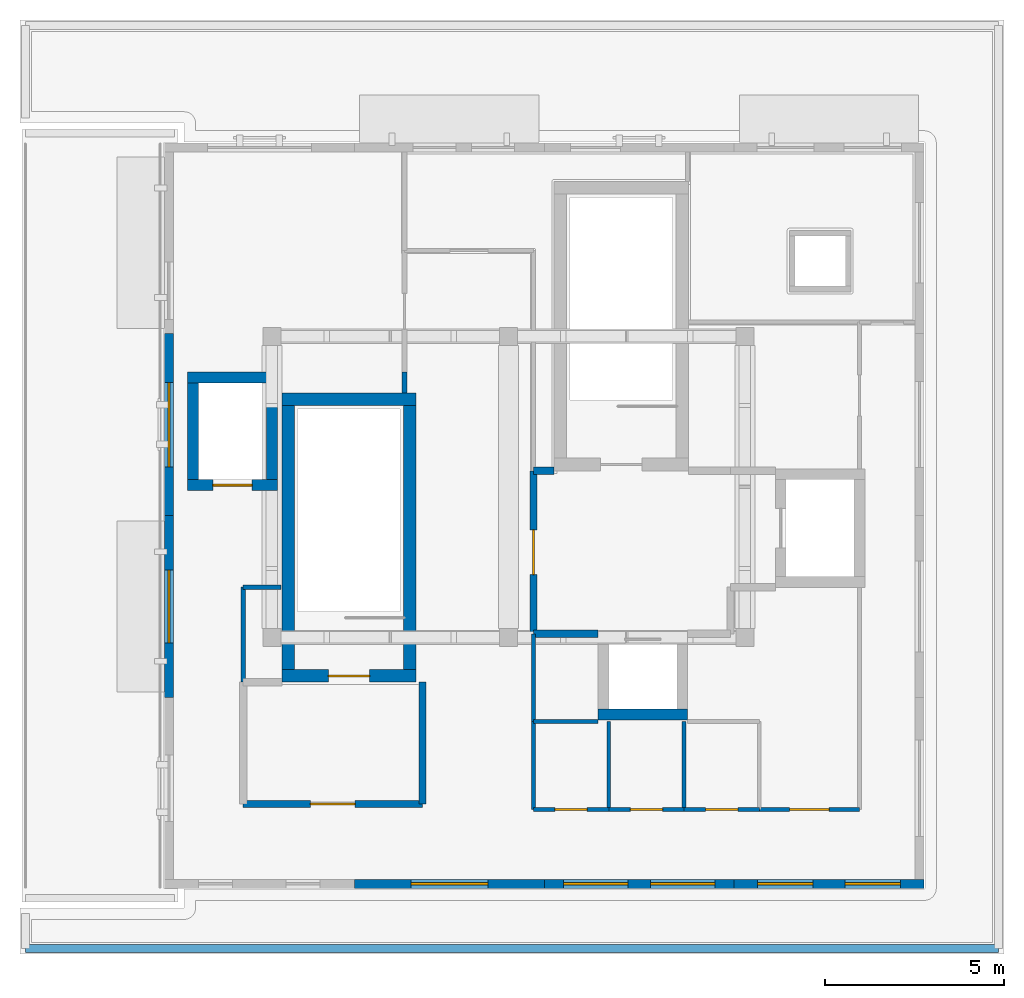
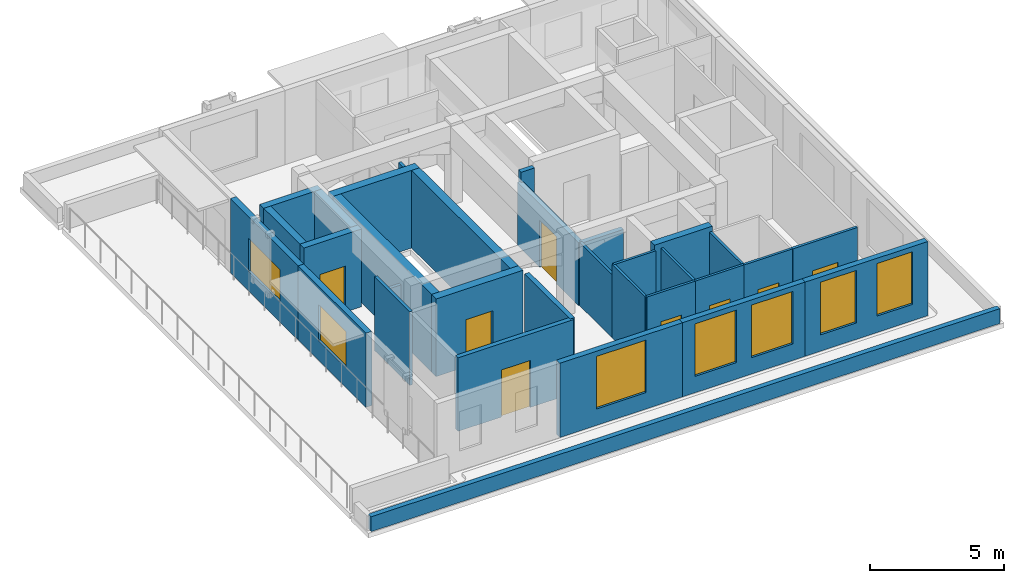
# One storey, part 2 of 5: 32 walls, 8 doors, 7 windows, 15 openings.
"""IFC4 building model written with IfcOpenShell, lengths in metres."""

from ifc_helpers import new_model, si_unit, direction, frame, frame_2d, origin, place, context, subcontext, project, spatial, rectangle, extrude, material, layer, layer_set, type_object, element, fill, save


model = new_model("IFC4")

# Units and contexts
model_context = context("Model", 3, precision=1e-05, world=origin(), true_north=direction((0.0, 1.0)))
body_context = subcontext(model_context, "Body", "Model", "MODEL_VIEW")
ifc_project = project(units=[si_unit("LENGTHUNIT", "METRE"), si_unit("AREAUNIT", "SQUARE_METRE"), si_unit("VOLUMEUNIT", "CUBIC_METRE"), si_unit("PLANEANGLEUNIT", "RADIAN"), si_unit("MASSUNIT", "GRAM", prefix="KILO")], contexts=[model_context])

# Site, building, storey
site_placement = place(None, origin())
site = spatial("IfcSite", under=ifc_project, at=site_placement, CompositionType="ELEMENT")
building_placement = place(site_placement, origin())
building = spatial("IfcBuilding", under=site, at=building_placement, Name="Kolvaren Faculty of Natural Sciences", CompositionType="ELEMENT")
storey_placement = place(building_placement, frame((0.0, 0.0, 44.39990234375)))
storey = spatial("IfcBuildingStorey", under=building, at=storey_placement, Name="L10", CompositionType="ELEMENT", Elevation=44.39990234375)

# Wall, opening, door
ifc_material_1 = material(Name="Concrete C40/50", Category="concrete")
ifc_layer_1 = layer(ifc_material_1, 0.35009765625)
ifc_layer_set_1 = layer_set([ifc_layer_1], Name="Concrete C40/50")
wall_type_1 = type_object("IfcWallType", Name="CoreShearWall_350", PredefinedType="SHEAR", material=ifc_layer_set_1)
wall_1_placement = place(storey_placement, frame((152.27490234375, 66.324951171875, 0.0), z_axis=(0.0, 0.0, 1.0), x_axis=(1.0, 0.0, 0.0)))
wall_1 = element("IfcWall", 1, at=wall_1_placement, inside=storey, type_object=wall_type_1, Name="L10 CORE-C2 stair shear wall S", PredefinedType="SHEAR", context=body_context, shape_type="SweptSolid", body=[
    extrude(rectangle(XDim=3.75, YDim=0.35009765625, at=frame_2d((1.875, 0.0))), origin(), (0.0, 0.0, 1.0), 3.550048828125),
])
opening_1_placement = place(wall_1_placement, frame((1.300048828125, 0.0, 0.0)))
opening_1 = element("IfcOpeningElement", 2, at=opening_1_placement, cuts=wall_1, Name="Opening FD90", PredefinedType="OPENING", context=body_context, shape_type="SweptSolid", body=[
    extrude(rectangle(XDim=1.14990234375, YDim=2.14990234375, at=frame_2d((0.574951171875, 1.074951171875))), frame((0.0, 0.18505859375, 0.0), z_axis=(0.0, -1.0, 0.0), x_axis=(1.0, 0.0, 0.0)), (0.0, 0.0, 1.0), 0.3701171875),
])
ifc_material_2 = material(Name="Fire-rated solid-core hardwood door leaf in steel frame", Category="steel")
door_type_1 = type_object("IfcDoorType", Name="StairCoreFireDoor_1150x2150", OperationType="NOTDEFINED", PredefinedType="DOOR", material=ifc_material_2)
door_1_placement = place(opening_1_placement, origin())
door_1 = element("IfcDoor", 3, at=door_1_placement, inside=storey, type_object=door_type_1, Name="D-ST-ST-2-L10", OperationType="SINGLE_SWING_RIGHT", OverallHeight=2.14990234375, OverallWidth=1.14990234375, PredefinedType="DOOR", context=body_context, shape_type="SweptSolid", body=[
    extrude(rectangle(XDim=1.14990234375, YDim=2.14990234375, at=frame_2d((0.574951171875, 1.074951171875))), frame((0.0, 0.02490234375, 0.0), z_axis=(0.0, -1.0, 0.0), x_axis=(1.0, 0.0, 0.0)), (0.0, 0.0, 1.0), 0.050048828125),
])
fill(opening_1, door_1)

# Walls
wall_2_placement = place(storey_placement, frame((152.27490234375, 74.050048828125, 0.0), z_axis=(0.0, 0.0, 1.0), x_axis=(1.0, 0.0, 0.0)))
element("IfcWall", 4, at=wall_2_placement, inside=storey, type_object=wall_type_1, Name="L10 CORE-C2 stair shear wall N", PredefinedType="SHEAR", context=body_context, shape_type="SweptSolid", body=[
    extrude(rectangle(XDim=3.75, YDim=0.35009765625, at=frame_2d((1.875, 0.0))), origin(), (0.0, 0.0, 1.0), 3.550048828125),
])
for number, where, z_axis, x_axis, name in (
    (5, (152.449951171875, 66.5, 0.0), (0.0, 0.0, 1.0), (0.0, 1.0, 0.0), "L10 CORE-C2 stair shear wall W"),
    (6, (155.85009765625, 66.5, 0.0), (0.0, 0.0, 1.0), (0.0, 1.0, 0.0), "L10 CORE-C2 stair shear wall E"),
):
    element("IfcWall", number, at=place(storey_placement, frame(where, z_axis=z_axis, x_axis=x_axis)), inside=storey, type_object=wall_type_1, Name=name, PredefinedType="SHEAR", context=body_context, shape_type="SweptSolid", body=[
        extrude(rectangle(XDim=7.375, YDim=0.35009765625, at=frame_2d((3.6875, 0.0))), origin(), (0.0, 0.0, 1.0), 3.550048828125),
    ])

# Wall, opening, window
ifc_material_3 = material(Name="Precast concrete C35/45", Category="concrete")
ifc_layer_2 = layer(ifc_material_3, 0.25)
ifc_layer_set_2 = layer_set([ifc_layer_2], Name="Precast concrete C35/45")
wall_type_2 = type_object("IfcWallType", Name="ExteriorTowerWall_250", PredefinedType="STANDARD", material=ifc_layer_set_2)
wall_3_placement = place(storey_placement, frame((149.125, 65.72509765625, 0.0), z_axis=(0.0, 0.0, 1.0), x_axis=(0.0, 1.0, 0.0)))
wall_3 = element("IfcWall", 7, at=wall_3_placement, inside=storey, type_object=wall_type_2, Name="L10 exterior masonry wall EW-250 (763)", PredefinedType="STANDARD", context=body_context, shape_type="SweptSolid", body=[
    extrude(rectangle(XDim=5.074951171875, YDim=0.25, at=frame_2d((2.53759765625, 0.0))), origin(), (0.0, 0.0, 1.0), 3.39013671875),
])
opening_2_placement = place(wall_3_placement, frame((1.512451171875, 0.0, 0.89990234375)))
opening_2 = element("IfcOpeningElement", 8, at=opening_2_placement, cuts=wall_3, Name="Opening WIN-17", PredefinedType="OPENING", context=body_context, shape_type="SweptSolid", body=[
    extrude(rectangle(XDim=2.050048828125, YDim=1.64990234375, at=frame_2d((1.02490234375, 0.824951171875))), frame((0.0, 0.135009765625, 0.0), z_axis=(0.0, -1.0, 0.0), x_axis=(1.0, 0.0, 0.0)), (0.0, 0.0, 1.0), 0.27001953125),
])
ifc_material_4 = material(Name="Double low-E solar control insulated glazing", Category="glass")
window_type_1 = type_object("IfcWindowType", Name="AluWindow_WIN17_2050x1650", PartitioningType="SINGLE_PANEL", PredefinedType="WINDOW", material=ifc_material_4)
window_1_placement = place(opening_2_placement, origin())
window_1 = element("IfcWindow", 9, at=window_1_placement, inside=storey, type_object=window_type_1, Name="WIN-L10-0638", OverallHeight=1.64990234375, OverallWidth=2.050048828125, PartitioningType="SINGLE_PANEL", PredefinedType="WINDOW", context=body_context, shape_type="SweptSolid", body=[
    extrude(rectangle(XDim=2.050048828125, YDim=1.64990234375, at=frame_2d((1.02490234375, 0.824951171875))), frame((0.0, 0.030029296875, 0.0), z_axis=(0.0, -1.0, 0.0), x_axis=(1.0, 0.0, 0.0)), (0.0, 0.0, 1.0), 0.06005859375),
])
fill(opening_2, window_1)

wall_4_placement = place(storey_placement, frame((149.125, 70.800048828125, 0.0), z_axis=(0.0, 0.0, 1.0), x_axis=(0.0, 1.0, 0.0)))
wall_4 = element("IfcWall", 10, at=wall_4_placement, inside=storey, type_object=wall_type_2, Name="L10 exterior masonry wall EW-250 (764)", PredefinedType="STANDARD", context=body_context, shape_type="SweptSolid", body=[
    extrude(rectangle(XDim=5.074951171875, YDim=0.25, at=frame_2d((2.53759765625, 0.0))), origin(), (0.0, 0.0, 1.0), 3.39013671875),
])
opening_3_placement = place(wall_4_placement, frame((1.362548828125, 0.0, 0.89990234375)))
opening_3 = element("IfcOpeningElement", 11, at=opening_3_placement, cuts=wall_4, Name="Opening WIN-18", PredefinedType="OPENING", context=body_context, shape_type="SweptSolid", body=[
    extrude(rectangle(XDim=2.35009765625, YDim=1.5, at=frame_2d((1.175048828125, 0.75))), frame((0.0, 0.135009765625, 0.0), z_axis=(0.0, -1.0, 0.0), x_axis=(1.0, 0.0, 0.0)), (0.0, 0.0, 1.0), 0.27001953125),
])
window_type_2 = type_object("IfcWindowType", Name="AluWindow_WIN18_2350x1500", PartitioningType="SINGLE_PANEL", PredefinedType="WINDOW", material=ifc_material_4)
window_2_placement = place(opening_3_placement, origin())
window_2 = element("IfcWindow", 12, at=window_2_placement, inside=storey, type_object=window_type_2, Name="WIN-L10-0639", OverallHeight=1.5, OverallWidth=2.35009765625, PartitioningType="SINGLE_PANEL", PredefinedType="WINDOW", context=body_context, shape_type="SweptSolid", body=[
    extrude(rectangle(XDim=2.35009765625, YDim=1.5, at=frame_2d((1.175048828125, 0.75))), frame((0.0, 0.030029296875, 0.0), z_axis=(0.0, -1.0, 0.0), x_axis=(1.0, 0.0, 0.0)), (0.0, 0.0, 1.0), 0.06005859375),
])
fill(opening_3, window_2)

# Wall, openings, windows
wall_5_placement = place(storey_placement, frame((170.199951171875, 60.52490234375, 0.0), z_axis=(0.0, 0.0, 1.0), x_axis=(-1.0, 0.0, 0.0)))
wall_5 = element("IfcWall", 13, at=wall_5_placement, inside=storey, type_object=wall_type_2, Name="L10 exterior masonry wall EW-250 (766)", PredefinedType="STANDARD", context=body_context, shape_type="SweptSolid", body=[
    extrude(rectangle(XDim=5.300048828125, YDim=0.25, at=frame_2d((2.64990234375, 0.0))), origin(), (0.0, 0.0, 1.0), 3.39013671875),
])
opening_4_placement = place(wall_5_placement, frame((0.656005859375, 0.0, 0.75)))
opening_4 = element("IfcOpeningElement", 14, at=opening_4_placement, cuts=wall_5, Name="Opening WIN-20", PredefinedType="OPENING", context=body_context, shape_type="SweptSolid", body=[
    extrude(rectangle(XDim=1.550048828125, YDim=2.39990234375, at=frame_2d((0.77490234375, 1.199951171875))), frame((0.0, 0.135009765625, 0.0), z_axis=(0.0, -1.0, 0.0), x_axis=(1.0, 0.0, 0.0)), (0.0, 0.0, 1.0), 0.27001953125),
])
opening_5_placement = place(wall_5_placement, frame((3.093994140625, 0.0, 0.75)))
opening_5 = element("IfcOpeningElement", 15, at=opening_5_placement, cuts=wall_5, Name="Opening WIN-20", PredefinedType="OPENING", context=body_context, shape_type="SweptSolid", body=[
    extrude(rectangle(XDim=1.550048828125, YDim=2.39990234375, at=frame_2d((0.77490234375, 1.199951171875))), frame((0.0, 0.135009765625, 0.0), z_axis=(0.0, -1.0, 0.0), x_axis=(1.0, 0.0, 0.0)), (0.0, 0.0, 1.0), 0.27001953125),
])
window_type_3 = type_object("IfcWindowType", Name="AluWindow_WIN20_1550x2400", PartitioningType="SINGLE_PANEL", PredefinedType="WINDOW", material=ifc_material_4)
window_3_placement = place(opening_4_placement, origin())
window_3 = element("IfcWindow", 16, at=window_3_placement, inside=storey, type_object=window_type_3, Name="WIN-L10-0640", OverallHeight=2.39990234375, OverallWidth=1.550048828125, PartitioningType="SINGLE_PANEL", PredefinedType="WINDOW", context=body_context, shape_type="SweptSolid", body=[
    extrude(rectangle(XDim=1.550048828125, YDim=2.39990234375, at=frame_2d((0.77490234375, 1.199951171875))), frame((0.0, 0.030029296875, 0.0), z_axis=(0.0, -1.0, 0.0), x_axis=(1.0, 0.0, 0.0)), (0.0, 0.0, 1.0), 0.06005859375),
])
fill(opening_4, window_3)
window_4_placement = place(opening_5_placement, origin())
window_4 = element("IfcWindow", 17, at=window_4_placement, inside=storey, type_object=window_type_3, Name="WIN-L10-0641", OverallHeight=2.39990234375, OverallWidth=1.550048828125, PartitioningType="SINGLE_PANEL", PredefinedType="WINDOW", context=body_context, shape_type="SweptSolid", body=[
    extrude(rectangle(XDim=1.550048828125, YDim=2.39990234375, at=frame_2d((0.77490234375, 1.199951171875))), frame((0.0, 0.030029296875, 0.0), z_axis=(0.0, -1.0, 0.0), x_axis=(1.0, 0.0, 0.0)), (0.0, 0.0, 1.0), 0.06005859375),
])
fill(opening_5, window_4)

wall_6_placement = place(storey_placement, frame((164.89990234375, 60.52490234375, 0.0), z_axis=(0.0, 0.0, 1.0), x_axis=(-1.0, 0.0, 0.0)))
wall_6 = element("IfcWall", 18, at=wall_6_placement, inside=storey, type_object=wall_type_2, Name="L10 exterior masonry wall EW-250 (767)", PredefinedType="STANDARD", context=body_context, shape_type="SweptSolid", body=[
    extrude(rectangle(XDim=5.2998046875, YDim=0.25, at=frame_2d((2.64990234375, 0.0))), origin(), (0.0, 0.0, 1.0), 3.39013671875),
])
opening_6_placement = place(wall_6_placement, frame((0.531005859375, 0.0, 0.75)))
opening_6 = element("IfcOpeningElement", 19, at=opening_6_placement, cuts=wall_6, Name="Opening WIN-21", PredefinedType="OPENING", context=body_context, shape_type="SweptSolid", body=[
    extrude(rectangle(XDim=1.800048828125, YDim=2.39990234375, at=frame_2d((0.89990234375, 1.199951171875))), frame((0.0, 0.135009765625, 0.0), z_axis=(0.0, -1.0, 0.0), x_axis=(1.0, 0.0, 0.0)), (0.0, 0.0, 1.0), 0.27001953125),
])
opening_7_placement = place(wall_6_placement, frame((2.968994140625, 0.0, 0.75)))
opening_7 = element("IfcOpeningElement", 20, at=opening_7_placement, cuts=wall_6, Name="Opening WIN-21", PredefinedType="OPENING", context=body_context, shape_type="SweptSolid", body=[
    extrude(rectangle(XDim=1.800048828125, YDim=2.39990234375, at=frame_2d((0.89990234375, 1.199951171875))), frame((0.0, 0.135009765625, 0.0), z_axis=(0.0, -1.0, 0.0), x_axis=(1.0, 0.0, 0.0)), (0.0, 0.0, 1.0), 0.27001953125),
])
window_type_4 = type_object("IfcWindowType", Name="AluWindow_WIN21_1800x2400", PartitioningType="SINGLE_PANEL", PredefinedType="WINDOW", material=ifc_material_4)
window_5_placement = place(opening_6_placement, origin())
window_5 = element("IfcWindow", 21, at=window_5_placement, inside=storey, type_object=window_type_4, Name="WIN-L10-0642", OverallHeight=2.39990234375, OverallWidth=1.800048828125, PartitioningType="SINGLE_PANEL", PredefinedType="WINDOW", context=body_context, shape_type="SweptSolid", body=[
    extrude(rectangle(XDim=1.800048828125, YDim=2.39990234375, at=frame_2d((0.89990234375, 1.199951171875))), frame((0.0, 0.030029296875, 0.0), z_axis=(0.0, -1.0, 0.0), x_axis=(1.0, 0.0, 0.0)), (0.0, 0.0, 1.0), 0.06005859375),
])
fill(opening_6, window_5)
window_6_placement = place(opening_7_placement, origin())
window_6 = element("IfcWindow", 22, at=window_6_placement, inside=storey, type_object=window_type_4, Name="WIN-L10-0643", OverallHeight=2.39990234375, OverallWidth=1.800048828125, PartitioningType="SINGLE_PANEL", PredefinedType="WINDOW", context=body_context, shape_type="SweptSolid", body=[
    extrude(rectangle(XDim=1.800048828125, YDim=2.39990234375, at=frame_2d((0.89990234375, 1.199951171875))), frame((0.0, 0.030029296875, 0.0), z_axis=(0.0, -1.0, 0.0), x_axis=(1.0, 0.0, 0.0)), (0.0, 0.0, 1.0), 0.06005859375),
])
fill(opening_7, window_6)

# Wall, opening, window
wall_7_placement = place(storey_placement, frame((159.60009765625, 60.52490234375, 0.0), z_axis=(0.0, 0.0, 1.0), x_axis=(-1.0, 0.0, 0.0)))
wall_7 = element("IfcWall", 23, at=wall_7_placement, inside=storey, type_object=wall_type_2, Name="L10 exterior masonry wall EW-250 (768)", PredefinedType="STANDARD", context=body_context, shape_type="SweptSolid", body=[
    extrude(rectangle(XDim=5.300048828125, YDim=0.25, at=frame_2d((2.64990234375, 0.0))), origin(), (0.0, 0.0, 1.0), 3.39013671875),
])
opening_8_placement = place(wall_7_placement, frame((1.574951171875, 0.0, 0.75)))
opening_8 = element("IfcOpeningElement", 24, at=opening_8_placement, cuts=wall_7, Name="Opening WIN-22", PredefinedType="OPENING", context=body_context, shape_type="SweptSolid", body=[
    extrude(rectangle(XDim=2.14990234375, YDim=2.39990234375, at=frame_2d((1.074951171875, 1.199951171875))), frame((0.0, 0.135009765625, 0.0), z_axis=(0.0, -1.0, 0.0), x_axis=(1.0, 0.0, 0.0)), (0.0, 0.0, 1.0), 0.27001953125),
])
window_type_5 = type_object("IfcWindowType", Name="AluWindow_WIN22_2150x2400", PartitioningType="SINGLE_PANEL", PredefinedType="WINDOW", material=ifc_material_4)
window_7_placement = place(opening_8_placement, origin())
window_7 = element("IfcWindow", 25, at=window_7_placement, inside=storey, type_object=window_type_5, Name="WIN-L10-0644", OverallHeight=2.39990234375, OverallWidth=2.14990234375, PartitioningType="SINGLE_PANEL", PredefinedType="WINDOW", context=body_context, shape_type="SweptSolid", body=[
    extrude(rectangle(XDim=2.14990234375, YDim=2.39990234375, at=frame_2d((1.074951171875, 1.199951171875))), frame((0.0, 0.030029296875, 0.0), z_axis=(0.0, -1.0, 0.0), x_axis=(1.0, 0.0, 0.0)), (0.0, 0.0, 1.0), 0.06005859375),
])
fill(opening_8, window_7)

# Walls
ifc_material_5 = material(Name="Autoclaved aerated fire-rated masonry blockwork", Category="masonry")
ifc_layer_3 = layer(ifc_material_5, 0.199951171875)
ifc_layer_set_3 = layer_set([ifc_layer_3], Name="Autoclaved aerated fire-rated masonry blockwork")
wall_type_3 = type_object("IfcWallType", Name="FireLobbyWall_200", PredefinedType="PARTITIONING", material=ifc_layer_set_3)
wall_8_placement = place(storey_placement, frame((159.300048828125, 72.050048828125, 0.0), z_axis=(0.0, 0.0, 1.0), x_axis=(1.0, 0.0, 0.0)))
element("IfcWall", 26, at=wall_8_placement, inside=storey, type_object=wall_type_3, Name="L10 interior partition FW-200", PredefinedType="PARTITIONING", context=body_context, shape_type="SweptSolid", body=[
    extrude(rectangle(XDim=0.574951171875, YDim=0.199951171875, at=frame_2d((0.28759765625, 0.0))), origin(), (0.0, 0.0, 1.0), 3.360107421875),
])
wall_9_placement = place(storey_placement, frame((161.10009765625, 67.5, 0.0), z_axis=(0.0, 0.0, 1.0), x_axis=(-1.0, 0.0, 0.0)))
element("IfcWall", 27, at=wall_9_placement, inside=storey, type_object=wall_type_3, Name="L10 interior partition FW-200", PredefinedType="PARTITIONING", context=body_context, shape_type="SweptSolid", body=[
    extrude(rectangle(XDim=1.800048828125, YDim=0.199951171875, at=frame_2d((0.89990234375, 0.0))), origin(), (0.0, 0.0, 1.0), 2.885009765625),
])

# Wall, opening, door
wall_10_placement = place(storey_placement, frame((159.300048828125, 67.5, 0.0), z_axis=(0.0, 0.0, 1.0), x_axis=(0.0, 1.0, 0.0)))
wall_10 = element("IfcWall", 28, at=wall_10_placement, inside=storey, type_object=wall_type_3, Name="L10 interior partition FW-200", PredefinedType="PARTITIONING", context=body_context, shape_type="SweptSolid", body=[
    extrude(rectangle(XDim=4.550048828125, YDim=0.199951171875, at=frame_2d((2.27490234375, 0.0))), origin(), (0.0, 0.0, 1.0), 2.885009765625),
])
opening_9_placement = place(wall_10_placement, frame((1.64990234375, 0.0, 0.0)))
opening_9 = element("IfcOpeningElement", 29, at=opening_9_placement, cuts=wall_10, Name="Opening FD60", PredefinedType="OPENING", context=body_context, shape_type="SweptSolid", body=[
    extrude(rectangle(XDim=1.25, YDim=2.14990234375, at=frame_2d((0.625, 1.074951171875))), frame((0.0, 0.10986328125, 0.0), z_axis=(0.0, -1.0, 0.0), x_axis=(1.0, 0.0, 0.0)), (0.0, 0.0, 1.0), 0.219970703125),
])
door_type_2 = type_object("IfcDoorType", Name="RescueLobbyFireDoor_1250x2150", OperationType="NOTDEFINED", PredefinedType="DOOR", material=ifc_material_2)
door_2_placement = place(opening_9_placement, origin())
door_2 = element("IfcDoor", 30, at=door_2_placement, inside=storey, type_object=door_type_2, Name="D-L10-0395", OperationType="SINGLE_SWING_RIGHT", OverallHeight=2.14990234375, OverallWidth=1.25, PredefinedType="DOOR", context=body_context, shape_type="SweptSolid", body=[
    extrude(rectangle(XDim=1.25, YDim=2.14990234375, at=frame_2d((0.625, 1.074951171875))), frame((0.0, 0.02490234375, 0.0), z_axis=(0.0, -1.0, 0.0), x_axis=(1.0, 0.0, 0.0)), (0.0, 0.0, 1.0), 0.050048828125),
])
fill(opening_9, door_2)

# Wall
wall_11_placement = place(storey_placement, frame((156.199951171875, 66.14990234375, 0.0), z_axis=(0.0, 0.0, 1.0), x_axis=(0.0, -1.0, 0.0)))
element("IfcWall", 31, at=wall_11_placement, inside=storey, type_object=wall_type_3, Name="L10 interior partition FW-200", PredefinedType="PARTITIONING", context=body_context, shape_type="SweptSolid", body=[
    extrude(rectangle(XDim=3.39990234375, YDim=0.199951171875, at=frame_2d((1.699951171875, 0.0))), origin(), (0.0, 0.0, 1.0), 3.360107421875),
])

# Wall, opening, door
wall_12_placement = place(storey_placement, frame((156.199951171875, 62.75, 0.0), z_axis=(0.0, 0.0, 1.0), x_axis=(-1.0, 0.0, 0.0)))
wall_12 = element("IfcWall", 32, at=wall_12_placement, inside=storey, type_object=wall_type_3, Name="L10 interior partition FW-200", PredefinedType="PARTITIONING", context=body_context, shape_type="SweptSolid", body=[
    extrude(rectangle(XDim=5.0, YDim=0.199951171875, at=frame_2d((2.5, 0.0))), origin(), (0.0, 0.0, 1.0), 3.360107421875),
])
opening_10_placement = place(wall_12_placement, frame((1.875, 0.0, 0.0)))
opening_10 = element("IfcOpeningElement", 33, at=opening_10_placement, cuts=wall_12, Name="Opening FD60", PredefinedType="OPENING", context=body_context, shape_type="SweptSolid", body=[
    extrude(rectangle(XDim=1.25, YDim=2.14990234375, at=frame_2d((0.625, 1.074951171875))), frame((0.0, 0.10986328125, 0.0), z_axis=(0.0, -1.0, 0.0), x_axis=(1.0, 0.0, 0.0)), (0.0, 0.0, 1.0), 0.219970703125),
])
door_3_placement = place(opening_10_placement, origin())
door_3 = element("IfcDoor", 34, at=door_3_placement, inside=storey, type_object=door_type_2, Name="D-L10-0396", OperationType="SINGLE_SWING_LEFT", OverallHeight=2.14990234375, OverallWidth=1.25, PredefinedType="DOOR", context=body_context, shape_type="SweptSolid", body=[
    extrude(rectangle(XDim=1.25, YDim=2.14990234375, at=frame_2d((0.625, 1.074951171875))), frame((0.0, 0.02490234375, 0.0), z_axis=(0.0, -1.0, 0.0), x_axis=(1.0, 0.0, 0.0)), (0.0, 0.0, 1.0), 0.050048828125),
])
fill(opening_10, door_3)

# Walls
ifc_material_6 = material(Name="Acoustic mineral-wool insulated gypsum partition")
ifc_layer_4 = layer(ifc_material_6, 0.1298828125)
ifc_layer_set_4 = layer_set([ifc_layer_4], Name="Acoustic mineral-wool insulated gypsum partition")
wall_type_4 = type_object("IfcWallType", Name="OfficePartitionWall_130", PredefinedType="PARTITIONING", material=ifc_layer_set_4)
wall_13_placement = place(storey_placement, frame((151.199951171875, 68.800048828125, 0.0), z_axis=(0.0, 0.0, 1.0), x_axis=(1.0, 0.0, 0.0)))
element("IfcWall", 35, at=wall_13_placement, inside=storey, type_object=wall_type_4, Name="L10 interior partition PW-130", PredefinedType="PARTITIONING", context=body_context, shape_type="SweptSolid", body=[
    extrude(rectangle(XDim=1.050048828125, YDim=0.1298828125, at=frame_2d((0.52490234375, 0.0))), origin(), (0.0, 0.0, 1.0), 2.635009765625),
])
wall_14_placement = place(storey_placement, frame((155.699951171875, 74.800048828125, 0.0), z_axis=(0.0, 0.0, 1.0), x_axis=(0.0, -1.0, 0.0)))
element("IfcWall", 36, at=wall_14_placement, inside=storey, type_object=wall_type_4, Name="L10 interior partition PW-130", PredefinedType="PARTITIONING", context=body_context, shape_type="SweptSolid", body=[
    extrude(rectangle(XDim=0.572998046875, YDim=0.1298828125, at=frame_2d((0.28662109375, 0.0))), origin(), (0.0, 0.0, 1.0), 3.360107421875),
])
wall_15_placement = place(storey_placement, frame((151.199951171875, 66.14990234375, 0.0), z_axis=(0.0, 0.0, 1.0), x_axis=(0.0, 1.0, 0.0)))
element("IfcWall", 37, at=wall_15_placement, inside=storey, type_object=wall_type_4, Name="L10 interior partition PW-130", PredefinedType="PARTITIONING", context=body_context, shape_type="SweptSolid", body=[
    extrude(rectangle(XDim=2.650146484375, YDim=0.1298828125, at=frame_2d((1.3251953125, 0.0))), origin(), (0.0, 0.0, 1.0), 3.360107421875),
])
ifc_layer_5 = layer(ifc_material_3, 0.219970703125)
ifc_layer_set_5 = layer_set([ifc_layer_5], Name="Precast concrete C35/45")
wall_type_5 = type_object("IfcWallType", Name="ParapetUpstandWall_220", PredefinedType="PARAPET", material=ifc_layer_set_5)
wall_16_placement = place(storey_placement, frame((172.280029296875, 58.719970703125, 0.0), z_axis=(0.0, 0.0, 1.0), x_axis=(-1.0, 0.0, 0.0)))
element("IfcWall", 38, at=wall_16_placement, inside=storey, type_object=wall_type_5, Name="L10 architectural sandstone roof parapet 77", PredefinedType="PARAPET", context=body_context, shape_type="SweptSolid", body=[
    extrude(rectangle(XDim=27.159912109375, YDim=0.219970703125, at=frame_2d((13.580078125, 0.0))), origin(), (0.0, 0.0, 1.0), 0.68017578125),
])
ifc_layer_6 = layer(ifc_material_1, 0.300048828125)
ifc_layer_set_6 = layer_set([ifc_layer_6], Name="Concrete C40/50")
wall_type_6 = type_object("IfcWallType", Name="ShaftShearWall_300", PredefinedType="SHEAR", material=ifc_layer_set_6)
wall_17_placement = place(storey_placement, frame((161.10009765625, 65.25, 0.0), z_axis=(0.0, 0.0, 1.0), x_axis=(1.0, 0.0, 0.0)))
element("IfcWall", 39, at=wall_17_placement, inside=storey, type_object=wall_type_6, Name="L10 lift PL-1 shaft wall S", PredefinedType="SHEAR", context=body_context, shape_type="SweptSolid", body=[
    extrude(rectangle(XDim=2.5, YDim=0.300048828125, at=frame_2d((1.25, 0.0))), origin(), (0.0, 0.0, 1.0), 3.550048828125),
])

# Wall, opening, door
wall_18_placement = place(storey_placement, frame((149.64990234375, 71.64990234375, 0.0), z_axis=(0.0, 0.0, 1.0), x_axis=(1.0, 0.0, 0.0)))
wall_18 = element("IfcWall", 40, at=wall_18_placement, inside=storey, type_object=wall_type_6, Name="L10 lift FL-2 shaft wall S", PredefinedType="SHEAR", context=body_context, shape_type="SweptSolid", body=[
    extrude(rectangle(XDim=2.5, YDim=0.300048828125, at=frame_2d((1.25, 0.0))), origin(), (0.0, 0.0, 1.0), 3.550048828125),
])
opening_11_placement = place(wall_18_placement, frame((0.699951171875, 0.0, 0.0)))
opening_11 = element("IfcOpeningElement", 41, at=opening_11_placement, cuts=wall_18, Name="Opening LD-01", PredefinedType="OPENING", context=body_context, shape_type="SweptSolid", body=[
    extrude(rectangle(XDim=1.10009765625, YDim=2.10009765625, at=frame_2d((0.550048828125, 1.050048828125))), frame((0.0, 0.159912109375, 0.0), z_axis=(0.0, -1.0, 0.0), x_axis=(1.0, 0.0, 0.0)), (0.0, 0.0, 1.0), 0.320068359375),
])
ifc_material_7 = material(Name="Brushed stainless steel lift car and sliding door assembly", Category="steel")
door_type_3 = type_object("IfcDoorType", Name="LiftLandingSliding_1100x2100", OperationType="DOUBLE_DOOR_SLIDING", PredefinedType="DOOR", material=ifc_material_7)
door_4_placement = place(opening_11_placement, origin())
door_4 = element("IfcDoor", 42, at=door_4_placement, inside=storey, type_object=door_type_3, Name="D-LIFT-FL-2-L10", OperationType="DOUBLE_DOOR_SLIDING", OverallHeight=2.10009765625, OverallWidth=1.10009765625, PredefinedType="DOOR", context=body_context, shape_type="SweptSolid", body=[
    extrude(rectangle(XDim=1.10009765625, YDim=2.10009765625, at=frame_2d((0.550048828125, 1.050048828125))), frame((0.0, 0.02490234375, 0.0), z_axis=(0.0, -1.0, 0.0), x_axis=(1.0, 0.0, 0.0)), (0.0, 0.0, 1.0), 0.050048828125),
])
fill(opening_11, door_4)

# Walls
wall_19_placement = place(storey_placement, frame((149.64990234375, 74.64990234375, 0.0), z_axis=(0.0, 0.0, 1.0), x_axis=(1.0, 0.0, 0.0)))
element("IfcWall", 43, at=wall_19_placement, inside=storey, type_object=wall_type_6, Name="L10 lift FL-2 shaft wall N", PredefinedType="SHEAR", context=body_context, shape_type="SweptSolid", body=[
    extrude(rectangle(XDim=2.5, YDim=0.300048828125, at=frame_2d((1.25, 0.0))), origin(), (0.0, 0.0, 1.0), 3.550048828125),
])
for number, where, z_axis, x_axis, name in (
    (44, (149.800048828125, 71.800048828125, 0.0), (0.0, 0.0, 1.0), (0.0, 1.0, 0.0), "L10 lift FL-2 shaft wall W"),
    (45, (152.0, 71.800048828125, 0.0), (0.0, 0.0, 1.0), (0.0, 1.0, 0.0), "L10 lift FL-2 shaft wall E"),
):
    element("IfcWall", number, at=place(storey_placement, frame(where, z_axis=z_axis, x_axis=x_axis)), inside=storey, type_object=wall_type_6, Name=name, PredefinedType="SHEAR", context=body_context, shape_type="SweptSolid", body=[
        extrude(rectangle(XDim=2.699951171875, YDim=0.300048828125, at=frame_2d((1.35009765625, 0.0))), origin(), (0.0, 0.0, 1.0), 3.550048828125),
    ])

# Wall, opening, door
ifc_layer_7 = layer(ifc_material_6, 0.114990234375)
ifc_layer_set_7 = layer_set([ifc_layer_7], Name="Acoustic mineral-wool insulated gypsum partition")
wall_type_7 = type_object("IfcWallType", Name="StorePartitionWall_115", PredefinedType="PARTITIONING", material=ifc_layer_set_7)
wall_20_placement = place(storey_placement, frame((168.39990234375, 62.60009765625, 0.0), z_axis=(0.0, 0.0, 1.0), x_axis=(-1.0, 0.0, 0.0)))
wall_20 = element("IfcWall", 46, at=wall_20_placement, inside=storey, type_object=wall_type_7, Name="L10 interior partition PW-115", PredefinedType="PARTITIONING", context=body_context, shape_type="SweptSolid", body=[
    extrude(rectangle(XDim=2.7998046875, YDim=0.114990234375, at=frame_2d((1.39990234375, 0.0))), origin(), (0.0, 0.0, 1.0), 3.360107421875),
])
opening_12_placement = place(wall_20_placement, frame((0.85009765625, 0.0, 0.0)))
opening_12 = element("IfcOpeningElement", 47, at=opening_12_placement, cuts=wall_20, Name="Opening ID-10", PredefinedType="OPENING", context=body_context, shape_type="SweptSolid", body=[
    extrude(rectangle(XDim=1.10009765625, YDim=2.06005859375, at=frame_2d((0.550048828125, 1.030029296875))), frame((0.0, 0.0673828125, 0.0), z_axis=(0.0, -1.0, 0.0), x_axis=(1.0, 0.0, 0.0)), (0.0, 0.0, 1.0), 0.135009765625),
])
ifc_material_8 = material(Name="Solid-core hardwood veneer door leaf in steel frame", Category="steel")
door_type_4 = type_object("IfcDoorType", Name="InteriorRoomDoor_1100x2060", OperationType="NOTDEFINED", PredefinedType="DOOR", material=ifc_material_8)
door_5_placement = place(opening_12_placement, origin())
door_5 = element("IfcDoor", 48, at=door_5_placement, inside=storey, type_object=door_type_4, Name="D-L10-0402", OperationType="SINGLE_SWING_LEFT", OverallHeight=2.06005859375, OverallWidth=1.10009765625, PredefinedType="DOOR", context=body_context, shape_type="SweptSolid", body=[
    extrude(rectangle(XDim=1.10009765625, YDim=2.06005859375, at=frame_2d((0.550048828125, 1.030029296875))), frame((0.0, 0.02490234375, 0.0), z_axis=(0.0, -1.0, 0.0), x_axis=(1.0, 0.0, 0.0)), (0.0, 0.0, 1.0), 0.050048828125),
])
fill(opening_12, door_5)

# Walls
wall_21_placement = place(storey_placement, frame((159.300048828125, 65.050048828125, 0.0), z_axis=(0.0, 0.0, 1.0), x_axis=(0.0, 1.0, 0.0)))
element("IfcWall", 49, at=wall_21_placement, inside=storey, type_object=wall_type_7, Name="L10 interior partition PW-115", PredefinedType="PARTITIONING", context=body_context, shape_type="SweptSolid", body=[
    extrude(rectangle(XDim=2.449951171875, YDim=0.114990234375, at=frame_2d((1.22509765625, 0.0))), origin(), (0.0, 0.0, 1.0), 2.885009765625),
])
ifc_layer_8 = layer(ifc_material_6, 0.10498046875)
ifc_layer_set_8 = layer_set([ifc_layer_8], Name="Acoustic mineral-wool insulated gypsum partition")
wall_type_8 = type_object("IfcWallType", Name="WetRoomPartition_105", PredefinedType="PARTITIONING", material=ifc_layer_set_8)
wall_22_placement = place(storey_placement, frame((159.300048828125, 65.050048828125, 0.0), z_axis=(0.0, 0.0, 1.0), x_axis=(1.0, 0.0, 0.0)))
element("IfcWall", 50, at=wall_22_placement, inside=storey, type_object=wall_type_8, Name="L10 interior partition PW-105", PredefinedType="PARTITIONING", context=body_context, shape_type="SweptSolid", body=[
    extrude(rectangle(XDim=1.800048828125, YDim=0.10498046875, at=frame_2d((0.89990234375, 0.0))), origin(), (0.0, 0.0, 1.0), 3.360107421875),
])
wall_23_placement = place(storey_placement, frame((161.39990234375, 65.050048828125, 0.0), z_axis=(0.0, 0.0, 1.0), x_axis=(0.0, -1.0, 0.0)))
element("IfcWall", 51, at=wall_23_placement, inside=storey, type_object=wall_type_8, Name="L10 interior partition PW-105", PredefinedType="PARTITIONING", context=body_context, shape_type="SweptSolid", body=[
    extrude(rectangle(XDim=2.449951171875, YDim=0.10498046875, at=frame_2d((1.22509765625, 0.0))), origin(), (0.0, 0.0, 1.0), 3.360107421875),
])

# Wall, opening, door
wall_24_placement = place(storey_placement, frame((161.39990234375, 62.60009765625, 0.0), z_axis=(0.0, 0.0, 1.0), x_axis=(-1.0, 0.0, 0.0)))
wall_24 = element("IfcWall", 52, at=wall_24_placement, inside=storey, type_object=wall_type_8, Name="L10 interior partition PW-105", PredefinedType="PARTITIONING", context=body_context, shape_type="SweptSolid", body=[
    extrude(rectangle(XDim=2.099853515625, YDim=0.10498046875, at=frame_2d((1.0498046875, 0.0))), origin(), (0.0, 0.0, 1.0), 3.360107421875),
])
opening_13_placement = place(wall_24_placement, frame((0.60009765625, 0.0, 0.0)))
opening_13 = element("IfcOpeningElement", 53, at=opening_13_placement, cuts=wall_24, Name="Opening ID-01", PredefinedType="OPENING", context=body_context, shape_type="SweptSolid", body=[
    extrude(rectangle(XDim=0.89990234375, YDim=2.02001953125, at=frame_2d((0.449951171875, 1.010009765625))), frame((0.0, 0.0625, 0.0), z_axis=(0.0, -1.0, 0.0), x_axis=(1.0, 0.0, 0.0)), (0.0, 0.0, 1.0), 0.125),
])
door_type_5 = type_object("IfcDoorType", Name="InteriorRoomDoor_900x2020", OperationType="NOTDEFINED", PredefinedType="DOOR", material=ifc_material_8)
door_6_placement = place(opening_13_placement, origin())
door_6 = element("IfcDoor", 54, at=door_6_placement, inside=storey, type_object=door_type_5, Name="D-L10-0397", OperationType="SINGLE_SWING_RIGHT", OverallHeight=2.02001953125, OverallWidth=0.89990234375, PredefinedType="DOOR", context=body_context, shape_type="SweptSolid", body=[
    extrude(rectangle(XDim=0.89990234375, YDim=2.02001953125, at=frame_2d((0.449951171875, 1.010009765625))), frame((0.0, 0.02490234375, 0.0), z_axis=(0.0, -1.0, 0.0), x_axis=(1.0, 0.0, 0.0)), (0.0, 0.0, 1.0), 0.050048828125),
])
fill(opening_13, door_6)

# Walls
for number, where, z_axis, x_axis, name in (
    (55, (159.300048828125, 62.60009765625, 0.0), (0.0, 0.0, 1.0), (0.0, 1.0, 0.0), "L10 interior partition PW-105"),
    (56, (163.5, 65.050048828125, 0.0), (0.0, 0.0, 1.0), (0.0, -1.0, 0.0), "L10 interior partition PW-105"),
):
    element("IfcWall", number, at=place(storey_placement, frame(where, z_axis=z_axis, x_axis=x_axis)), inside=storey, type_object=wall_type_8, Name=name, PredefinedType="PARTITIONING", context=body_context, shape_type="SweptSolid", body=[
        extrude(rectangle(XDim=2.449951171875, YDim=0.10498046875, at=frame_2d((1.22509765625, 0.0))), origin(), (0.0, 0.0, 1.0), 3.360107421875),
    ])

# Wall, opening, door
wall_25_placement = place(storey_placement, frame((163.5, 62.60009765625, 0.0), z_axis=(0.0, 0.0, 1.0), x_axis=(-1.0, 0.0, 0.0)))
wall_25 = element("IfcWall", 57, at=wall_25_placement, inside=storey, type_object=wall_type_8, Name="L10 interior partition PW-105", PredefinedType="PARTITIONING", context=body_context, shape_type="SweptSolid", body=[
    extrude(rectangle(XDim=2.10009765625, YDim=0.10498046875, at=frame_2d((1.050048828125, 0.0))), origin(), (0.0, 0.0, 1.0), 3.360107421875),
])
opening_14_placement = place(wall_25_placement, frame((0.60009765625, 0.0, 0.0)))
opening_14 = element("IfcOpeningElement", 58, at=opening_14_placement, cuts=wall_25, Name="Opening ID-01", PredefinedType="OPENING", context=body_context, shape_type="SweptSolid", body=[
    extrude(rectangle(XDim=0.89990234375, YDim=2.02001953125, at=frame_2d((0.449951171875, 1.010009765625))), frame((0.0, 0.0625, 0.0), z_axis=(0.0, -1.0, 0.0), x_axis=(1.0, 0.0, 0.0)), (0.0, 0.0, 1.0), 0.125),
])
door_7_placement = place(opening_14_placement, origin())
door_7 = element("IfcDoor", 59, at=door_7_placement, inside=storey, type_object=door_type_5, Name="D-L10-0398", OperationType="SINGLE_SWING_LEFT", OverallHeight=2.02001953125, OverallWidth=0.89990234375, PredefinedType="DOOR", context=body_context, shape_type="SweptSolid", body=[
    extrude(rectangle(XDim=0.89990234375, YDim=2.02001953125, at=frame_2d((0.449951171875, 1.010009765625))), frame((0.0, 0.02490234375, 0.0), z_axis=(0.0, -1.0, 0.0), x_axis=(1.0, 0.0, 0.0)), (0.0, 0.0, 1.0), 0.050048828125),
])
fill(opening_14, door_7)

wall_26_placement = place(storey_placement, frame((165.60009765625, 62.60009765625, 0.0), z_axis=(0.0, 0.0, 1.0), x_axis=(-1.0, 0.0, 0.0)))
wall_26 = element("IfcWall", 60, at=wall_26_placement, inside=storey, type_object=wall_type_8, Name="L10 interior partition PW-105", PredefinedType="PARTITIONING", context=body_context, shape_type="SweptSolid", body=[
    extrude(rectangle(XDim=2.10009765625, YDim=0.10498046875, at=frame_2d((1.050048828125, 0.0))), origin(), (0.0, 0.0, 1.0), 3.360107421875),
])
opening_15_placement = place(wall_26_placement, frame((0.60009765625, 0.0, 0.0)))
opening_15 = element("IfcOpeningElement", 61, at=opening_15_placement, cuts=wall_26, Name="Opening ID-01", PredefinedType="OPENING", context=body_context, shape_type="SweptSolid", body=[
    extrude(rectangle(XDim=0.89990234375, YDim=2.02001953125, at=frame_2d((0.449951171875, 1.010009765625))), frame((0.0, 0.0625, 0.0), z_axis=(0.0, -1.0, 0.0), x_axis=(1.0, 0.0, 0.0)), (0.0, 0.0, 1.0), 0.125),
])
door_8_placement = place(opening_15_placement, origin())
door_8 = element("IfcDoor", 62, at=door_8_placement, inside=storey, type_object=door_type_5, Name="D-L10-0399", OperationType="SINGLE_SWING_RIGHT", OverallHeight=2.02001953125, OverallWidth=0.89990234375, PredefinedType="DOOR", context=body_context, shape_type="SweptSolid", body=[
    extrude(rectangle(XDim=0.89990234375, YDim=2.02001953125, at=frame_2d((0.449951171875, 1.010009765625))), frame((0.0, 0.02490234375, 0.0), z_axis=(0.0, -1.0, 0.0), x_axis=(1.0, 0.0, 0.0)), (0.0, 0.0, 1.0), 0.050048828125),
])
fill(opening_15, door_8)

save(model, "model.ifc")
